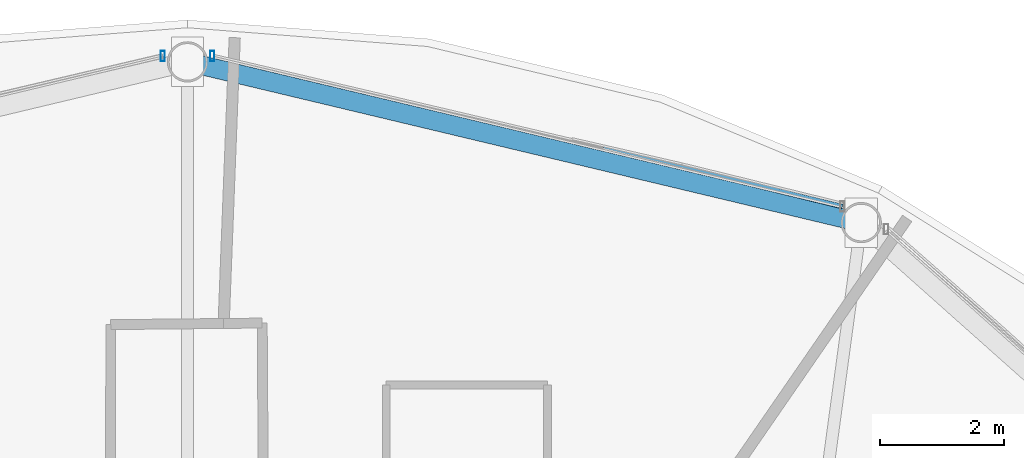
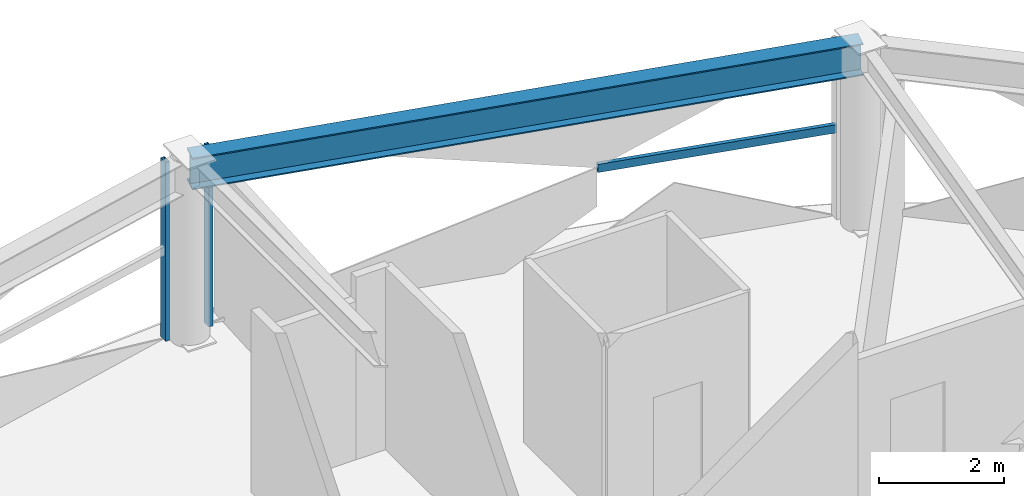
# One storey, part 18 of 28: 3 members, 1 beam, 2 elements without a shape of their own.
"""IFC4 building model written with IfcOpenShell, lengths in metres."""

from ifc_helpers import new_model, si_unit, direction, frame, origin, origin_2d, place, context, subcontext, project, spatial, hollow_rectangle, i_section, extrude, material, layer, layer_set, material_profile, profile_set, type_object, element, aggregate, save


model = new_model("IFC4")

# Units and contexts
model_context = context("Model", 3, precision=1e-05, world=origin(), true_north=direction((0.0, 1.0)))
body_context = subcontext(model_context, "Body", "Model", "MODEL_VIEW")
ifc_project = project(units=[si_unit("LENGTHUNIT", "METRE"), si_unit("AREAUNIT", "SQUARE_METRE"), si_unit("VOLUMEUNIT", "CUBIC_METRE"), si_unit("PLANEANGLEUNIT", "RADIAN"), si_unit("MASSUNIT", "GRAM", prefix="KILO")], contexts=[model_context])

# Site, building, storey
site_placement = place(None, origin())
site = spatial("IfcSite", under=ifc_project, at=site_placement, CompositionType="ELEMENT")
building_placement = place(site_placement, origin())
building = spatial("IfcBuilding", under=site, at=building_placement, Name="Vantalir Tower", CompositionType="ELEMENT")
storey_placement = place(building_placement, frame((0.0, 0.0, 238.64990234375)))
storey = spatial("IfcBuildingStorey", under=building, at=storey_placement, Name="L60", CompositionType="ELEMENT", Elevation=238.64990234375)

# Beam
ifc_material_1 = material(Name="Steel S460", Category="steel")
ifc_material_profile_1 = material_profile(ifc_material_1, i_section(OverallWidth=0.306884765625, OverallDepth=0.6201171875, WebThickness=0.01416015625, FlangeThickness=0.023681640625, at=origin_2d()), Name="Steel S460")
ifc_profile_set_1 = profile_set([ifc_material_profile_1], Name="Steel S460")
beam_type = type_object("IfcBeamType", Name="BM-RG-610x305", PredefinedType="USERDEFINED", material=ifc_profile_set_1)
beam_placement = place(storey_placement, frame((42.35888671875, 41.742919921875, 3.260009765625), z_axis=(-0.97271250926, 0.23201373737, 0.0), x_axis=(-0.23201373737, -0.97271250926, 0.0)))
element("IfcBeam", 1, at=beam_placement, inside=storey, type_object=beam_type, Name="L60 Circumferential Ring Girder 03", ObjectType="GIRDER", PredefinedType="USERDEFINED", context=body_context, shape_type="SweptSolid", body=[
    extrude(i_section(OverallWidth=0.306884765625, OverallDepth=0.6201171875, WebThickness=0.01416015625, FlangeThickness=0.023681640625, at=origin_2d()), origin(), (0.0, 0.0, 1.0), 11.16357421875),
])

# Curtain wall, member
ifc_material_2 = material(Name="Champagne-silver PVDF aluminium and double-silver Low-E glass", Category="aluminium")
ifc_layer = layer(ifc_material_2, 0.2099609375)
ifc_layer_set = layer_set([ifc_layer], Name="Champagne-silver PVDF aluminium and double-silver Low-E glass")
curtain_wall_type = type_object("IfcCurtainWallType", Name="CW-DIAMOND-Z3", PredefinedType="USERDEFINED", material=ifc_layer_set)
curtain_wall_1_placement = place(storey_placement, origin())
curtain_wall_1 = element("IfcCurtainWall", 2, at=curtain_wall_1_placement, inside=storey, type_object=curtain_wall_type, Name="L60 Quilted Pyramid-Diamond Curtain Wall S03", ObjectType="UNITISED CURTAIN WALL", PredefinedType="USERDEFINED")
ifc_material_3 = material(Name="Champagne-silver PVDF aluminium 6063-T6", Category="aluminium")
ifc_material_profile_2 = material_profile(ifc_material_3, hollow_rectangle(XDim=0.070068359375, YDim=0.1650390625, WallThickness=0.00390625, at=origin_2d()), Name="Champagne-silver PVDF aluminium 6063-T6")
ifc_profile_set_2 = profile_set([ifc_material_profile_2], Name="Champagne-silver PVDF aluminium 6063-T6")
member_type_1 = type_object("IfcMemberType", Name="CWM-165x70", PredefinedType="MULLION", material=ifc_profile_set_2)
member_1_placement = place(storey_placement, frame((31.89892578125, 44.427978515625, 0.045166015625), z_axis=(0.0, 0.0, 1.0), x_axis=(1.0, 0.0, 0.0)))
member_1 = element("IfcMember", 3, at=member_1_placement, type_object=member_type_1, Name="CW-L60-S03 Mullion 2", PredefinedType="MULLION", context=body_context, shape_type="SweptSolid", body=[
    extrude(hollow_rectangle(XDim=0.070068359375, YDim=0.1650390625, WallThickness=0.00390625, at=origin_2d()), origin(), (0.0, 0.0, 1.0), 3.47998046875),
])

curtain_wall_2_placement = place(storey_placement, origin())
curtain_wall_2 = element("IfcCurtainWall", 4, at=curtain_wall_2_placement, inside=storey, type_object=curtain_wall_type, Name="L60 Quilted Pyramid-Diamond Curtain Wall S04", ObjectType="UNITISED CURTAIN WALL", PredefinedType="USERDEFINED")
member_2_placement = place(storey_placement, frame((31.10107421875, 44.427978515625, 0.045166015625), z_axis=(0.0, 0.0, 1.0), x_axis=(1.0, 0.0, 0.0)))
member_2 = element("IfcMember", 5, at=member_2_placement, type_object=member_type_1, Name="CW-L60-S04 Mullion 1", PredefinedType="MULLION", context=body_context, shape_type="SweptSolid", body=[
    extrude(hollow_rectangle(XDim=0.070068359375, YDim=0.1650390625, WallThickness=0.00390625, at=origin_2d()), origin(), (0.0, 0.0, 1.0), 3.47998046875),
])
aggregate(curtain_wall_2, [member_2])

# Member
ifc_material_profile_3 = material_profile(ifc_material_3, hollow_rectangle(XDim=0.074951171875, YDim=0.159912109375, WallThickness=0.00390625, at=origin_2d()), Name="Champagne-silver PVDF aluminium 6063-T6")
ifc_profile_set_3 = profile_set([ifc_material_profile_3], Name="Champagne-silver PVDF aluminium 6063-T6")
member_type_2 = type_object("IfcMemberType", Name="CWT-160x75", PredefinedType="USERDEFINED", material=ifc_profile_set_3)
member_3_placement = place(storey_placement, frame((42.054931640625, 42.001953125, 1.78515625), z_axis=(-0.971237180584, 0.238114130306, 0.0), x_axis=(-0.238114130306, -0.971237180584, 0.0)))
member_3 = element("IfcMember", 6, at=member_3_placement, type_object=member_type_2, Name="CW-L60-S03 Pyramid Fold Ridge Transom", ObjectType="TRANSOM", PredefinedType="USERDEFINED", context=body_context, shape_type="SweptSolid", body=[
    extrude(hollow_rectangle(XDim=0.074951171875, YDim=0.159912109375, WallThickness=0.00390625, at=origin_2d()), origin(), (0.0, 0.0, 1.0), 3.96484375),
])

aggregate(curtain_wall_1, [member_1, member_3])

save(model, "model.ifc")
